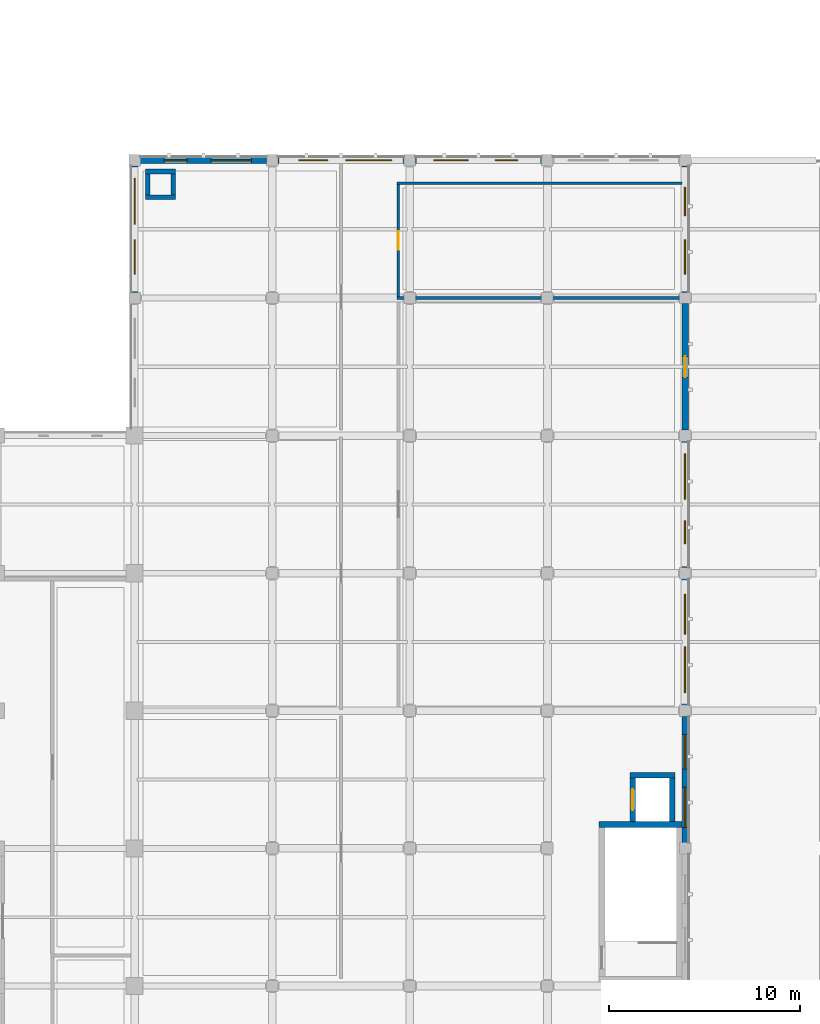
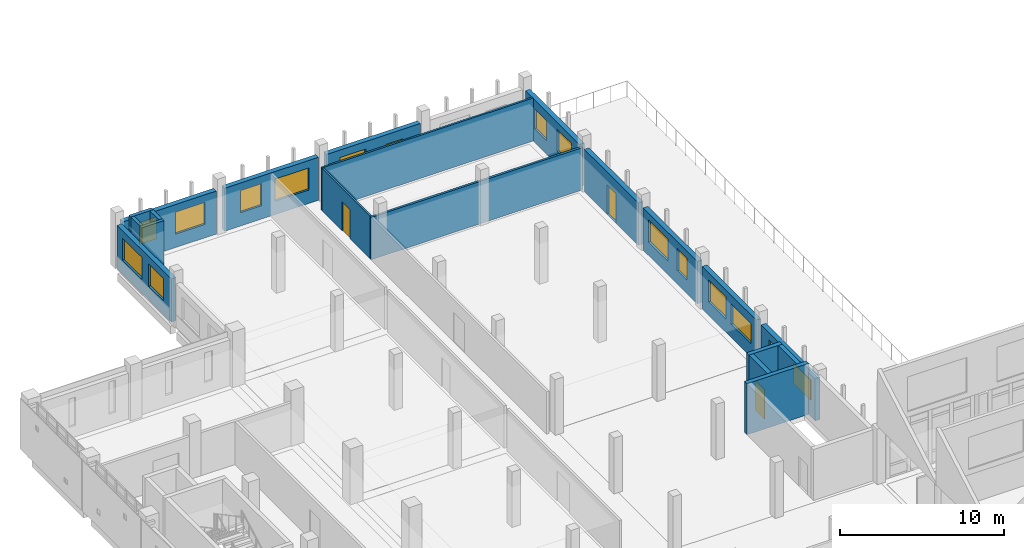
# One storey, part 45 of 62: 20 walls, 16 windows, 3 doors, 19 openings.
"""IFC4 building model written with IfcOpenShell, lengths in metres."""

from ifc_helpers import new_model, si_unit, direction, frame, frame_2d, origin, place, context, subcontext, project, spatial, rectangle, extrude, material, layer, layer_set, type_object, element, fill, save


model = new_model("IFC4")

# Units and contexts
model_context = context("Model", 3, precision=1e-05, world=origin(), true_north=direction((0.0, 1.0)))
body_context = subcontext(model_context, "Body", "Model", "MODEL_VIEW")
ifc_project = project(units=[si_unit("LENGTHUNIT", "METRE"), si_unit("AREAUNIT", "SQUARE_METRE"), si_unit("VOLUMEUNIT", "CUBIC_METRE"), si_unit("PLANEANGLEUNIT", "RADIAN"), si_unit("MASSUNIT", "GRAM", prefix="KILO")], contexts=[model_context])

# Site, building, storey
site_placement = place(None, origin())
site = spatial("IfcSite", under=ifc_project, at=site_placement, CompositionType="ELEMENT")
building_placement = place(site_placement, origin())
building = spatial("IfcBuilding", under=site, at=building_placement, Name="Valkovuoma Quantum and Materials Research Institute", CompositionType="ELEMENT")
storey_placement = place(building_placement, frame((0.0, 0.0, 13.1201171875)))
storey = spatial("IfcBuildingStorey", under=building, at=storey_placement, Name="L03", CompositionType="ELEMENT", Elevation=13.1201171875)

# Walls
ifc_material_1 = material(Name="Concrete C40/50", Category="concrete")
ifc_layer_1 = layer(ifc_material_1, 0.300048828125)
ifc_layer_set_1 = layer_set([ifc_layer_1], Name="Concrete C40/50")
wall_type_1 = type_object("IfcWallType", Name="Wall-W-COR300", PredefinedType="SHEAR", material=ifc_layer_set_1)
wall_1_placement = place(storey_placement, frame((38.699951171875, 73.25, 0.0), z_axis=(0.0, 0.0, 1.0), x_axis=(1.0, 0.0, 0.0)))
element("IfcWall", 1, at=wall_1_placement, inside=storey, type_object=wall_type_1, Name="L03 core wall 0292", PredefinedType="SHEAR", context=body_context, shape_type="SweptSolid", body=[
    extrude(rectangle(XDim=4.35009765625, YDim=0.300048828125, at=frame_2d((2.175048828125, 0.0))), origin(), (0.0, 0.0, 1.0), 3.809814453125),
])
wall_2_placement = place(storey_placement, frame((40.320068359375, 75.830078125, 0.0), z_axis=(0.0, 0.0, 1.0), x_axis=(1.0, 0.0, 0.0)))
element("IfcWall", 2, at=wall_2_placement, inside=storey, type_object=wall_type_1, Name="L03 core wall 0295", PredefinedType="SHEAR", context=body_context, shape_type="SweptSolid", body=[
    extrude(rectangle(XDim=2.35986328125, YDim=0.300048828125, at=frame_2d((1.179931640625, 0.0))), origin(), (0.0, 0.0, 1.0), 3.809814453125),
])

# Wall, opening, door
wall_3_placement = place(storey_placement, frame((40.469970703125, 73.39990234375, 0.0), z_axis=(0.0, 0.0, 1.0), x_axis=(0.0, 1.0, 0.0)))
wall_3 = element("IfcWall", 3, at=wall_3_placement, inside=storey, type_object=wall_type_1, Name="L03 core wall 0296", PredefinedType="SHEAR", context=body_context, shape_type="SweptSolid", body=[
    extrude(rectangle(XDim=2.280029296875, YDim=0.300048828125, at=frame_2d((1.14013671875, 0.0))), origin(), (0.0, 0.0, 1.0), 3.809814453125),
])
opening_1_placement = place(wall_3_placement, frame((0.60009765625, 0.0, 0.0)))
opening_1 = element("IfcOpeningElement", 4, at=opening_1_placement, cuts=wall_3, Name="Opening LD-054", PredefinedType="OPENING", context=body_context, shape_type="SweptSolid", body=[
    extrude(rectangle(XDim=1.10009765625, YDim=2.199951171875, at=frame_2d((0.550048828125, 1.10009765625))), frame((0.0, 0.16015625, 0.0), z_axis=(0.0, -1.0, 0.0), x_axis=(1.0, 0.0, 0.0)), (0.0, 0.0, 1.0), 0.320068359375),
])
ifc_material_2 = material(Name="Powder-coated steel and acoustic timber door assembly", Category="steel")
door_type_1 = type_object("IfcDoorType", Name="Door-DR-LD01", OperationType="NOTDEFINED", PredefinedType="DOOR", material=ifc_material_2)
door_1_placement = place(opening_1_placement, origin())
door_1 = element("IfcDoor", 5, at=door_1_placement, inside=storey, type_object=door_type_1, Name="L03 LIFT-P4 sliding landing door", OperationType="SLIDING_TO_LEFT", OverallHeight=2.199951171875, OverallWidth=1.10009765625, PredefinedType="DOOR", context=body_context, shape_type="SweptSolid", body=[
    extrude(rectangle(XDim=1.10009765625, YDim=2.199951171875, at=frame_2d((0.550048828125, 1.10009765625))), frame((0.0, 0.02490234375, 0.0), z_axis=(0.0, -1.0, 0.0), x_axis=(1.0, 0.0, 0.0)), (0.0, 0.0, 1.0), 0.050048828125),
])
fill(opening_1, door_1)

# Wall
wall_4_placement = place(storey_placement, frame((42.530029296875, 73.39990234375, 0.0), z_axis=(0.0, 0.0, 1.0), x_axis=(0.0, 1.0, 0.0)))
element("IfcWall", 6, at=wall_4_placement, inside=storey, type_object=wall_type_1, Name="L03 core wall 0297", PredefinedType="SHEAR", context=body_context, shape_type="SweptSolid", body=[
    extrude(rectangle(XDim=2.280029296875, YDim=0.300048828125, at=frame_2d((1.14013671875, 0.0))), origin(), (0.0, 0.0, 1.0), 3.809814453125),
])

# Wall, openings, windows
ifc_material_3 = material(Name="Precast concrete C40/50", Category="concrete")
ifc_layer_2 = layer(ifc_material_3, 0.340087890625)
ifc_layer_set_2 = layer_set([ifc_layer_2], Name="Precast concrete C40/50")
wall_type_2 = type_object("IfcWallType", Name="Wall-W-EXT340", PredefinedType="SOLIDWALL", material=ifc_layer_set_2)
wall_5_placement = place(storey_placement, frame((14.68994140625, 108.0, 0.0), z_axis=(0.0, 0.0, 1.0), x_axis=(1.0, 0.0, 0.0)))
wall_5 = element("IfcWall", 7, at=wall_5_placement, inside=storey, type_object=wall_type_2, Name="L03 exterior wall 0154", PredefinedType="SOLIDWALL", context=body_context, shape_type="SweptSolid", body=[
    extrude(rectangle(XDim=6.6201171875, YDim=0.340087890625, at=frame_2d((3.31005859375, 0.0))), origin(), (0.0, 0.0, 1.0), 3.2099609375),
])
opening_2_placement = place(wall_5_placement, frame((1.253662109375, 0.0, 1.0)))
opening_2 = element("IfcOpeningElement", 8, at=opening_2_placement, cuts=wall_5, Name="Opening WN-CL06", PredefinedType="OPENING", context=body_context, shape_type="SweptSolid", body=[
    extrude(rectangle(XDim=1.199951171875, YDim=1.64990234375, at=frame_2d((0.60009765625, 0.824951171875))), frame((0.0, 0.18017578125, 0.0), z_axis=(0.0, -1.0, 0.0), x_axis=(1.0, 0.0, 0.0)), (0.0, 0.0, 1.0), 0.360107421875),
])
opening_3_placement = place(wall_5_placement, frame((3.71630859375, 0.0, 1.0)))
opening_3 = element("IfcOpeningElement", 9, at=opening_3_placement, cuts=wall_5, Name="Opening WN-CL09", PredefinedType="OPENING", context=body_context, shape_type="SweptSolid", body=[
    extrude(rectangle(XDim=2.10009765625, YDim=1.64990234375, at=frame_2d((1.050048828125, 0.824951171875))), frame((0.0, 0.18017578125, 0.0), z_axis=(0.0, -1.0, 0.0), x_axis=(1.0, 0.0, 0.0)), (0.0, 0.0, 1.0), 0.360107421875),
])
ifc_material_4 = material(Name="Triple low-E argon glazing in thermally broken aluminium frame", Category="aluminium")
window_type_1 = type_object("IfcWindowType", Name="Win-WN-CL06", PartitioningType="SINGLE_PANEL", PredefinedType="WINDOW", material=ifc_material_4)
window_1_placement = place(opening_2_placement, origin())
window_1 = element("IfcWindow", 10, at=window_1_placement, inside=storey, type_object=window_type_1, Name="L03 window 0178", OverallHeight=1.64990234375, OverallWidth=1.199951171875, PartitioningType="SINGLE_PANEL", PredefinedType="WINDOW", context=body_context, shape_type="SweptSolid", body=[
    extrude(rectangle(XDim=1.199951171875, YDim=1.64990234375, at=frame_2d((0.60009765625, 0.824951171875))), frame((0.0, 0.030029296875, 0.0), z_axis=(0.0, -1.0, 0.0), x_axis=(1.0, 0.0, 0.0)), (0.0, 0.0, 1.0), 0.06005859375),
])
fill(opening_2, window_1)
ifc_material_5 = material(Name="Triple low-E argon glazing in thermally broken aluminium frame", Category="aluminium")
window_type_2 = type_object("IfcWindowType", Name="Win-WN-CL09", PartitioningType="SINGLE_PANEL", PredefinedType="WINDOW", material=ifc_material_5)
window_2_placement = place(opening_3_placement, origin())
window_2 = element("IfcWindow", 11, at=window_2_placement, inside=storey, type_object=window_type_2, Name="L03 window 0179", OverallHeight=1.64990234375, OverallWidth=2.10009765625, PartitioningType="SINGLE_PANEL", PredefinedType="WINDOW", context=body_context, shape_type="SweptSolid", body=[
    extrude(rectangle(XDim=2.10009765625, YDim=1.64990234375, at=frame_2d((1.050048828125, 0.824951171875))), frame((0.0, 0.030029296875, 0.0), z_axis=(0.0, -1.0, 0.0), x_axis=(1.0, 0.0, 0.0)), (0.0, 0.0, 1.0), 0.06005859375),
])
fill(opening_3, window_2)

wall_6_placement = place(storey_placement, frame((21.889892578125, 108.0, 0.0), z_axis=(0.0, 0.0, 1.0), x_axis=(1.0, 0.0, 0.0)))
wall_6 = element("IfcWall", 12, at=wall_6_placement, inside=storey, type_object=wall_type_2, Name="L03 exterior wall 0155", PredefinedType="SOLIDWALL", context=body_context, shape_type="SweptSolid", body=[
    extrude(rectangle(XDim=6.6201171875, YDim=0.340087890625, at=frame_2d((3.31005859375, 0.0))), origin(), (0.0, 0.0, 1.0), 3.2099609375),
])
opening_4_placement = place(wall_6_placement, frame((1.103515625, 0.0, 1.0)))
opening_4 = element("IfcOpeningElement", 13, at=opening_4_placement, cuts=wall_6, Name="Opening WN-CL07", PredefinedType="OPENING", context=body_context, shape_type="SweptSolid", body=[
    extrude(rectangle(XDim=1.5, YDim=1.64990234375, at=frame_2d((0.75, 0.824951171875))), frame((0.0, 0.18017578125, 0.0), z_axis=(0.0, -1.0, 0.0), x_axis=(1.0, 0.0, 0.0)), (0.0, 0.0, 1.0), 0.360107421875),
])
opening_5_placement = place(wall_6_placement, frame((3.56640625, 0.0, 1.0)))
opening_5 = element("IfcOpeningElement", 14, at=opening_5_placement, cuts=wall_6, Name="Opening WN-CL10", PredefinedType="OPENING", context=body_context, shape_type="SweptSolid", body=[
    extrude(rectangle(XDim=2.39990234375, YDim=1.64990234375, at=frame_2d((1.199951171875, 0.824951171875))), frame((0.0, 0.18017578125, 0.0), z_axis=(0.0, -1.0, 0.0), x_axis=(1.0, 0.0, 0.0)), (0.0, 0.0, 1.0), 0.360107421875),
])
ifc_material_6 = material(Name="Triple low-E argon glazing in thermally broken aluminium frame", Category="aluminium")
window_type_3 = type_object("IfcWindowType", Name="Win-WN-CL07", PartitioningType="SINGLE_PANEL", PredefinedType="WINDOW", material=ifc_material_6)
window_3_placement = place(opening_4_placement, origin())
window_3 = element("IfcWindow", 15, at=window_3_placement, inside=storey, type_object=window_type_3, Name="L03 window 0180", OverallHeight=1.64990234375, OverallWidth=1.5, PartitioningType="SINGLE_PANEL", PredefinedType="WINDOW", context=body_context, shape_type="SweptSolid", body=[
    extrude(rectangle(XDim=1.5, YDim=1.64990234375, at=frame_2d((0.75, 0.824951171875))), frame((0.0, 0.030029296875, 0.0), z_axis=(0.0, -1.0, 0.0), x_axis=(1.0, 0.0, 0.0)), (0.0, 0.0, 1.0), 0.06005859375),
])
fill(opening_4, window_3)
ifc_material_7 = material(Name="Triple low-E argon glazing in thermally broken aluminium frame", Category="aluminium")
window_type_4 = type_object("IfcWindowType", Name="Win-WN-CL10", PartitioningType="SINGLE_PANEL", PredefinedType="WINDOW", material=ifc_material_7)
window_4_placement = place(opening_5_placement, origin())
window_4 = element("IfcWindow", 16, at=window_4_placement, inside=storey, type_object=window_type_4, Name="L03 window 0181", OverallHeight=1.64990234375, OverallWidth=2.39990234375, PartitioningType="SINGLE_PANEL", PredefinedType="WINDOW", context=body_context, shape_type="SweptSolid", body=[
    extrude(rectangle(XDim=2.39990234375, YDim=1.64990234375, at=frame_2d((1.199951171875, 0.824951171875))), frame((0.0, 0.030029296875, 0.0), z_axis=(0.0, -1.0, 0.0), x_axis=(1.0, 0.0, 0.0)), (0.0, 0.0, 1.0), 0.06005859375),
])
fill(opening_5, window_4)

wall_7_placement = place(storey_placement, frame((29.090087890625, 108.0, 0.0), z_axis=(0.0, 0.0, 1.0), x_axis=(1.0, 0.0, 0.0)))
wall_7 = element("IfcWall", 17, at=wall_7_placement, inside=storey, type_object=wall_type_2, Name="L03 exterior wall 0156", PredefinedType="SOLIDWALL", context=body_context, shape_type="SweptSolid", body=[
    extrude(rectangle(XDim=6.619873046875, YDim=0.340087890625, at=frame_2d((3.31005859375, 0.0))), origin(), (0.0, 0.0, 1.0), 3.2099609375),
])
opening_6_placement = place(wall_7_placement, frame((0.95361328125, 0.0, 1.0)))
opening_6 = element("IfcOpeningElement", 18, at=opening_6_placement, cuts=wall_7, Name="Opening WN-CL08", PredefinedType="OPENING", context=body_context, shape_type="SweptSolid", body=[
    extrude(rectangle(XDim=1.800048828125, YDim=1.64990234375, at=frame_2d((0.89990234375, 0.824951171875))), frame((0.0, 0.18017578125, 0.0), z_axis=(0.0, -1.0, 0.0), x_axis=(1.0, 0.0, 0.0)), (0.0, 0.0, 1.0), 0.360107421875),
])
opening_7_placement = place(wall_7_placement, frame((4.16650390625, 0.0, 1.0)))
opening_7 = element("IfcOpeningElement", 19, at=opening_7_placement, cuts=wall_7, Name="Opening WN-CL01", PredefinedType="OPENING", context=body_context, shape_type="SweptSolid", body=[
    extrude(rectangle(XDim=1.199951171875, YDim=1.5, at=frame_2d((0.60009765625, 0.75))), frame((0.0, 0.18017578125, 0.0), z_axis=(0.0, -1.0, 0.0), x_axis=(1.0, 0.0, 0.0)), (0.0, 0.0, 1.0), 0.360107421875),
])
ifc_material_8 = material(Name="Triple low-E argon glazing in thermally broken aluminium frame", Category="aluminium")
window_type_5 = type_object("IfcWindowType", Name="Win-WN-CL01", PartitioningType="SINGLE_PANEL", PredefinedType="WINDOW", material=ifc_material_8)
window_5_placement = place(opening_7_placement, origin())
window_5 = element("IfcWindow", 20, at=window_5_placement, inside=storey, type_object=window_type_5, Name="L03 window 0183", OverallHeight=1.5, OverallWidth=1.199951171875, PartitioningType="SINGLE_PANEL", PredefinedType="WINDOW", context=body_context, shape_type="SweptSolid", body=[
    extrude(rectangle(XDim=1.199951171875, YDim=1.5, at=frame_2d((0.60009765625, 0.75))), frame((0.0, 0.030029296875, 0.0), z_axis=(0.0, -1.0, 0.0), x_axis=(1.0, 0.0, 0.0)), (0.0, 0.0, 1.0), 0.06005859375),
])
fill(opening_7, window_5)
ifc_material_9 = material(Name="Triple low-E argon glazing in thermally broken aluminium frame", Category="aluminium")
window_type_6 = type_object("IfcWindowType", Name="Win-WN-CL08", PartitioningType="SINGLE_PANEL", PredefinedType="WINDOW", material=ifc_material_9)
window_6_placement = place(opening_6_placement, origin())
window_6 = element("IfcWindow", 21, at=window_6_placement, inside=storey, type_object=window_type_6, Name="L03 window 0182", OverallHeight=1.64990234375, OverallWidth=1.800048828125, PartitioningType="SINGLE_PANEL", PredefinedType="WINDOW", context=body_context, shape_type="SweptSolid", body=[
    extrude(rectangle(XDim=1.800048828125, YDim=1.64990234375, at=frame_2d((0.89990234375, 0.824951171875))), frame((0.0, 0.030029296875, 0.0), z_axis=(0.0, -1.0, 0.0), x_axis=(1.0, 0.0, 0.0)), (0.0, 0.0, 1.0), 0.06005859375),
])
fill(opening_6, window_6)

wall_8_placement = place(storey_placement, frame((43.199951171875, 72.2900390625, 0.0), z_axis=(0.0, 0.0, 1.0), x_axis=(0.0, 1.0, 0.0)))
wall_8 = element("IfcWall", 22, at=wall_8_placement, inside=storey, type_object=wall_type_2, Name="L03 exterior wall 0159", PredefinedType="SOLIDWALL", context=body_context, shape_type="SweptSolid", body=[
    extrude(rectangle(XDim=6.619873046875, YDim=0.340087890625, at=frame_2d((3.31005859375, 0.0))), origin(), (0.0, 0.0, 1.0), 3.159912109375),
])
opening_8_placement = place(wall_8_placement, frame((0.8037109375, 0.0, 1.0)))
opening_8 = element("IfcOpeningElement", 23, at=opening_8_placement, cuts=wall_8, Name="Opening WN-CL04", PredefinedType="OPENING", context=body_context, shape_type="SweptSolid", body=[
    extrude(rectangle(XDim=2.10009765625, YDim=1.5, at=frame_2d((1.050048828125, 0.75))), frame((0.0, 0.18017578125, 0.0), z_axis=(0.0, -1.0, 0.0), x_axis=(1.0, 0.0, 0.0)), (0.0, 0.0, 1.0), 0.360107421875),
])
opening_9_placement = place(wall_8_placement, frame((3.866455078125, 0.0, 1.0)))
opening_9 = element("IfcOpeningElement", 24, at=opening_9_placement, cuts=wall_8, Name="Opening WN-CL08", PredefinedType="OPENING", context=body_context, shape_type="SweptSolid", body=[
    extrude(rectangle(XDim=1.800048828125, YDim=1.64990234375, at=frame_2d((0.89990234375, 0.824951171875))), frame((0.0, 0.18017578125, 0.0), z_axis=(0.0, -1.0, 0.0), x_axis=(1.0, 0.0, 0.0)), (0.0, 0.0, 1.0), 0.360107421875),
])
ifc_material_10 = material(Name="Triple low-E argon glazing in thermally broken aluminium frame", Category="aluminium")
window_type_7 = type_object("IfcWindowType", Name="Win-WN-CL04", PartitioningType="SINGLE_PANEL", PredefinedType="WINDOW", material=ifc_material_10)
window_7_placement = place(opening_8_placement, origin())
window_7 = element("IfcWindow", 25, at=window_7_placement, inside=storey, type_object=window_type_7, Name="L03 window 0188", OverallHeight=1.5, OverallWidth=2.10009765625, PartitioningType="SINGLE_PANEL", PredefinedType="WINDOW", context=body_context, shape_type="SweptSolid", body=[
    extrude(rectangle(XDim=2.10009765625, YDim=1.5, at=frame_2d((1.050048828125, 0.75))), frame((0.0, 0.030029296875, 0.0), z_axis=(0.0, -1.0, 0.0), x_axis=(1.0, 0.0, 0.0)), (0.0, 0.0, 1.0), 0.06005859375),
])
fill(opening_8, window_7)
window_8_placement = place(opening_9_placement, origin())
window_8 = element("IfcWindow", 26, at=window_8_placement, inside=storey, type_object=window_type_6, Name="L03 window 0189", OverallHeight=1.64990234375, OverallWidth=1.800048828125, PartitioningType="SINGLE_PANEL", PredefinedType="WINDOW", context=body_context, shape_type="SweptSolid", body=[
    extrude(rectangle(XDim=1.800048828125, YDim=1.64990234375, at=frame_2d((0.89990234375, 0.824951171875))), frame((0.0, 0.030029296875, 0.0), z_axis=(0.0, -1.0, 0.0), x_axis=(1.0, 0.0, 0.0)), (0.0, 0.0, 1.0), 0.06005859375),
])
fill(opening_9, window_8)

wall_9_placement = place(storey_placement, frame((43.199951171875, 79.489990234375, 0.0), z_axis=(0.0, 0.0, 1.0), x_axis=(0.0, 1.0, 0.0)))
wall_9 = element("IfcWall", 27, at=wall_9_placement, inside=storey, type_object=wall_type_2, Name="L03 exterior wall 0160", PredefinedType="SOLIDWALL", context=body_context, shape_type="SweptSolid", body=[
    extrude(rectangle(XDim=6.6201171875, YDim=0.340087890625, at=frame_2d((3.31005859375, 0.0))), origin(), (0.0, 0.0, 1.0), 3.159912109375),
])
opening_10_placement = place(wall_9_placement, frame((0.653564453125, 0.0, 1.0)))
opening_10 = element("IfcOpeningElement", 28, at=opening_10_placement, cuts=wall_9, Name="Opening WN-CL05", PredefinedType="OPENING", context=body_context, shape_type="SweptSolid", body=[
    extrude(rectangle(XDim=2.39990234375, YDim=1.5, at=frame_2d((1.199951171875, 0.75))), frame((0.0, 0.18017578125, 0.0), z_axis=(0.0, -1.0, 0.0), x_axis=(1.0, 0.0, 0.0)), (0.0, 0.0, 1.0), 0.360107421875),
])
opening_11_placement = place(wall_9_placement, frame((3.71630859375, 0.0, 1.0)))
opening_11 = element("IfcOpeningElement", 29, at=opening_11_placement, cuts=wall_9, Name="Opening WN-CL09", PredefinedType="OPENING", context=body_context, shape_type="SweptSolid", body=[
    extrude(rectangle(XDim=2.10009765625, YDim=1.64990234375, at=frame_2d((1.050048828125, 0.824951171875))), frame((0.0, 0.18017578125, 0.0), z_axis=(0.0, -1.0, 0.0), x_axis=(1.0, 0.0, 0.0)), (0.0, 0.0, 1.0), 0.360107421875),
])
ifc_material_11 = material(Name="Triple low-E argon glazing in thermally broken aluminium frame", Category="aluminium")
window_type_8 = type_object("IfcWindowType", Name="Win-WN-CL05", PartitioningType="SINGLE_PANEL", PredefinedType="WINDOW", material=ifc_material_11)
window_9_placement = place(opening_10_placement, origin())
window_9 = element("IfcWindow", 30, at=window_9_placement, inside=storey, type_object=window_type_8, Name="L03 window 0190", OverallHeight=1.5, OverallWidth=2.39990234375, PartitioningType="SINGLE_PANEL", PredefinedType="WINDOW", context=body_context, shape_type="SweptSolid", body=[
    extrude(rectangle(XDim=2.39990234375, YDim=1.5, at=frame_2d((1.199951171875, 0.75))), frame((0.0, 0.030029296875, 0.0), z_axis=(0.0, -1.0, 0.0), x_axis=(1.0, 0.0, 0.0)), (0.0, 0.0, 1.0), 0.06005859375),
])
fill(opening_10, window_9)
window_10_placement = place(opening_11_placement, origin())
window_10 = element("IfcWindow", 31, at=window_10_placement, inside=storey, type_object=window_type_2, Name="L03 window 0191", OverallHeight=1.64990234375, OverallWidth=2.10009765625, PartitioningType="SINGLE_PANEL", PredefinedType="WINDOW", context=body_context, shape_type="SweptSolid", body=[
    extrude(rectangle(XDim=2.10009765625, YDim=1.64990234375, at=frame_2d((1.050048828125, 0.824951171875))), frame((0.0, 0.030029296875, 0.0), z_axis=(0.0, -1.0, 0.0), x_axis=(1.0, 0.0, 0.0)), (0.0, 0.0, 1.0), 0.06005859375),
])
fill(opening_11, window_10)

wall_10_placement = place(storey_placement, frame((43.199951171875, 86.68994140625, 0.0), z_axis=(0.0, 0.0, 1.0), x_axis=(0.0, 1.0, 0.0)))
wall_10 = element("IfcWall", 32, at=wall_10_placement, inside=storey, type_object=wall_type_2, Name="L03 exterior wall 0161", PredefinedType="SOLIDWALL", context=body_context, shape_type="SweptSolid", body=[
    extrude(rectangle(XDim=6.6201171875, YDim=0.340087890625, at=frame_2d((3.31005859375, 0.0))), origin(), (0.0, 0.0, 1.0), 3.159912109375),
])
opening_12_placement = place(wall_10_placement, frame((1.253662109375, 0.0, 1.0)))
opening_12 = element("IfcOpeningElement", 33, at=opening_12_placement, cuts=wall_10, Name="Opening WN-CL06", PredefinedType="OPENING", context=body_context, shape_type="SweptSolid", body=[
    extrude(rectangle(XDim=1.199951171875, YDim=1.64990234375, at=frame_2d((0.60009765625, 0.824951171875))), frame((0.0, 0.18017578125, 0.0), z_axis=(0.0, -1.0, 0.0), x_axis=(1.0, 0.0, 0.0)), (0.0, 0.0, 1.0), 0.360107421875),
])
opening_13_placement = place(wall_10_placement, frame((3.56640625, 0.0, 1.0)))
opening_13 = element("IfcOpeningElement", 34, at=opening_13_placement, cuts=wall_10, Name="Opening WN-CL10", PredefinedType="OPENING", context=body_context, shape_type="SweptSolid", body=[
    extrude(rectangle(XDim=2.39990234375, YDim=1.64990234375, at=frame_2d((1.199951171875, 0.824951171875))), frame((0.0, 0.18017578125, 0.0), z_axis=(0.0, -1.0, 0.0), x_axis=(1.0, 0.0, 0.0)), (0.0, 0.0, 1.0), 0.360107421875),
])
window_11_placement = place(opening_12_placement, origin())
window_11 = element("IfcWindow", 35, at=window_11_placement, inside=storey, type_object=window_type_1, Name="L03 window 0192", OverallHeight=1.64990234375, OverallWidth=1.199951171875, PartitioningType="SINGLE_PANEL", PredefinedType="WINDOW", context=body_context, shape_type="SweptSolid", body=[
    extrude(rectangle(XDim=1.199951171875, YDim=1.64990234375, at=frame_2d((0.60009765625, 0.824951171875))), frame((0.0, 0.030029296875, 0.0), z_axis=(0.0, -1.0, 0.0), x_axis=(1.0, 0.0, 0.0)), (0.0, 0.0, 1.0), 0.06005859375),
])
fill(opening_12, window_11)
window_12_placement = place(opening_13_placement, origin())
window_12 = element("IfcWindow", 36, at=window_12_placement, inside=storey, type_object=window_type_4, Name="L03 window 0193", OverallHeight=1.64990234375, OverallWidth=2.39990234375, PartitioningType="SINGLE_PANEL", PredefinedType="WINDOW", context=body_context, shape_type="SweptSolid", body=[
    extrude(rectangle(XDim=2.39990234375, YDim=1.64990234375, at=frame_2d((1.199951171875, 0.824951171875))), frame((0.0, 0.030029296875, 0.0), z_axis=(0.0, -1.0, 0.0), x_axis=(1.0, 0.0, 0.0)), (0.0, 0.0, 1.0), 0.06005859375),
])
fill(opening_13, window_12)

# Wall, opening, door
wall_11_placement = place(storey_placement, frame((43.199951171875, 93.889892578125, 0.0), z_axis=(0.0, 0.0, 1.0), x_axis=(0.0, 1.0, 0.0)))
wall_11 = element("IfcWall", 37, at=wall_11_placement, inside=storey, type_object=wall_type_2, Name="L03 exterior wall 0162", PredefinedType="SOLIDWALL", context=body_context, shape_type="SweptSolid", body=[
    extrude(rectangle(XDim=6.6201171875, YDim=0.340087890625, at=frame_2d((3.31005859375, 0.0))), origin(), (0.0, 0.0, 1.0), 3.159912109375),
])
opening_14_placement = place(wall_11_placement, frame((2.760009765625, 0.0, 0.0)))
opening_14 = element("IfcOpeningElement", 38, at=opening_14_placement, cuts=wall_11, Name="Opening ED-023", PredefinedType="OPENING", context=body_context, shape_type="SweptSolid", body=[
    extrude(rectangle(XDim=1.10009765625, YDim=2.199951171875, at=frame_2d((0.550048828125, 1.10009765625))), frame((0.0, 0.18017578125, 0.0), z_axis=(0.0, -1.0, 0.0), x_axis=(1.0, 0.0, 0.0)), (0.0, 0.0, 1.0), 0.360107421875),
])
ifc_material_12 = material(Name="Thermally broken insulated aluminium and steel door", Category="steel")
door_type_2 = type_object("IfcDoorType", Name="Door-DR-TR01", OperationType="NOTDEFINED", PredefinedType="DOOR", material=ifc_material_12)
door_2_placement = place(opening_14_placement, frame((1.10009765625, 0.0, 0.0), z_axis=(0.0, 0.0, 1.0), x_axis=(-1.0, 0.0, 0.0)))
door_2 = element("IfcDoor", 39, at=door_2_placement, inside=storey, type_object=door_type_2, Name="L03 exterior door 023", OperationType="SINGLE_SWING_RIGHT", OverallHeight=2.199951171875, OverallWidth=1.10009765625, PredefinedType="DOOR", context=body_context, shape_type="SweptSolid", body=[
    extrude(rectangle(XDim=1.10009765625, YDim=2.199951171875, at=frame_2d((0.550048828125, 1.10009765625))), frame((0.0, 0.02490234375, 0.0), z_axis=(0.0, -1.0, 0.0), x_axis=(1.0, 0.0, 0.0)), (0.0, 0.0, 1.0), 0.050048828125),
])
fill(opening_14, door_2)

# Wall, openings, windows
wall_12_placement = place(storey_placement, frame((43.199951171875, 101.090087890625, 0.0), z_axis=(0.0, 0.0, 1.0), x_axis=(0.0, 1.0, 0.0)))
wall_12 = element("IfcWall", 40, at=wall_12_placement, inside=storey, type_object=wall_type_2, Name="L03 exterior wall 0163", PredefinedType="SOLIDWALL", context=body_context, shape_type="SweptSolid", body=[
    extrude(rectangle(XDim=6.619873046875, YDim=0.340087890625, at=frame_2d((3.31005859375, 0.0))), origin(), (0.0, 0.0, 1.0), 3.159912109375),
])
opening_15_placement = place(wall_12_placement, frame((0.95361328125, 0.0, 1.0)))
opening_15 = element("IfcOpeningElement", 41, at=opening_15_placement, cuts=wall_12, Name="Opening WN-CL08", PredefinedType="OPENING", context=body_context, shape_type="SweptSolid", body=[
    extrude(rectangle(XDim=1.800048828125, YDim=1.64990234375, at=frame_2d((0.89990234375, 0.824951171875))), frame((0.0, 0.18017578125, 0.0), z_axis=(0.0, -1.0, 0.0), x_axis=(1.0, 0.0, 0.0)), (0.0, 0.0, 1.0), 0.360107421875),
])
opening_16_placement = place(wall_12_placement, frame((4.016357421875, 0.0, 1.0)))
opening_16 = element("IfcOpeningElement", 42, at=opening_16_placement, cuts=wall_12, Name="Opening WN-CL02", PredefinedType="OPENING", context=body_context, shape_type="SweptSolid", body=[
    extrude(rectangle(XDim=1.5, YDim=1.5, at=frame_2d((0.75, 0.75))), frame((0.0, 0.18017578125, 0.0), z_axis=(0.0, -1.0, 0.0), x_axis=(1.0, 0.0, 0.0)), (0.0, 0.0, 1.0), 0.360107421875),
])
ifc_material_13 = material(Name="Triple low-E argon glazing in thermally broken aluminium frame", Category="aluminium")
window_type_9 = type_object("IfcWindowType", Name="Win-WN-CL02", PartitioningType="SINGLE_PANEL", PredefinedType="WINDOW", material=ifc_material_13)
window_13_placement = place(opening_16_placement, origin())
window_13 = element("IfcWindow", 43, at=window_13_placement, inside=storey, type_object=window_type_9, Name="L03 window 0195", OverallHeight=1.5, OverallWidth=1.5, PartitioningType="SINGLE_PANEL", PredefinedType="WINDOW", context=body_context, shape_type="SweptSolid", body=[
    extrude(rectangle(XDim=1.5, YDim=1.5, at=frame_2d((0.75, 0.75))), frame((0.0, 0.030029296875, 0.0), z_axis=(0.0, -1.0, 0.0), x_axis=(1.0, 0.0, 0.0)), (0.0, 0.0, 1.0), 0.06005859375),
])
fill(opening_16, window_13)
window_14_placement = place(opening_15_placement, origin())
window_14 = element("IfcWindow", 44, at=window_14_placement, inside=storey, type_object=window_type_6, Name="L03 window 0194", OverallHeight=1.64990234375, OverallWidth=1.800048828125, PartitioningType="SINGLE_PANEL", PredefinedType="WINDOW", context=body_context, shape_type="SweptSolid", body=[
    extrude(rectangle(XDim=1.800048828125, YDim=1.64990234375, at=frame_2d((0.89990234375, 0.824951171875))), frame((0.0, 0.030029296875, 0.0), z_axis=(0.0, -1.0, 0.0), x_axis=(1.0, 0.0, 0.0)), (0.0, 0.0, 1.0), 0.06005859375),
])
fill(opening_15, window_14)

wall_13_placement = place(storey_placement, frame((14.39990234375, 101.090087890625, 0.0), z_axis=(0.0, 0.0, 1.0), x_axis=(0.0, 1.0, 0.0)))
wall_13 = element("IfcWall", 45, at=wall_13_placement, inside=storey, type_object=wall_type_2, Name="L03 exterior wall 0165", PredefinedType="SOLIDWALL", context=body_context, shape_type="SweptSolid", body=[
    extrude(rectangle(XDim=6.619873046875, YDim=0.340087890625, at=frame_2d((3.31005859375, 0.0))), origin(), (0.0, 0.0, 1.0), 3.2099609375),
])
opening_17_placement = place(wall_13_placement, frame((0.95361328125, 0.0, 1.0)))
opening_17 = element("IfcOpeningElement", 46, at=opening_17_placement, cuts=wall_13, Name="Opening WN-CL08", PredefinedType="OPENING", context=body_context, shape_type="SweptSolid", body=[
    extrude(rectangle(XDim=1.800048828125, YDim=1.64990234375, at=frame_2d((0.89990234375, 0.824951171875))), frame((0.0, 0.18017578125, 0.0), z_axis=(0.0, -1.0, 0.0), x_axis=(1.0, 0.0, 0.0)), (0.0, 0.0, 1.0), 0.360107421875),
])
opening_18_placement = place(wall_13_placement, frame((3.56640625, 0.0, 1.0)))
opening_18 = element("IfcOpeningElement", 47, at=opening_18_placement, cuts=wall_13, Name="Opening WN-CL10", PredefinedType="OPENING", context=body_context, shape_type="SweptSolid", body=[
    extrude(rectangle(XDim=2.39990234375, YDim=1.64990234375, at=frame_2d((1.199951171875, 0.824951171875))), frame((0.0, 0.18017578125, 0.0), z_axis=(0.0, -1.0, 0.0), x_axis=(1.0, 0.0, 0.0)), (0.0, 0.0, 1.0), 0.360107421875),
])
window_15_placement = place(opening_17_placement, origin())
window_15 = element("IfcWindow", 48, at=window_15_placement, inside=storey, type_object=window_type_6, Name="L03 window 0198", OverallHeight=1.64990234375, OverallWidth=1.800048828125, PartitioningType="SINGLE_PANEL", PredefinedType="WINDOW", context=body_context, shape_type="SweptSolid", body=[
    extrude(rectangle(XDim=1.800048828125, YDim=1.64990234375, at=frame_2d((0.89990234375, 0.824951171875))), frame((0.0, 0.030029296875, 0.0), z_axis=(0.0, -1.0, 0.0), x_axis=(1.0, 0.0, 0.0)), (0.0, 0.0, 1.0), 0.06005859375),
])
fill(opening_17, window_15)
window_16_placement = place(opening_18_placement, origin())
window_16 = element("IfcWindow", 49, at=window_16_placement, inside=storey, type_object=window_type_4, Name="L03 window 0199", OverallHeight=1.64990234375, OverallWidth=2.39990234375, PartitioningType="SINGLE_PANEL", PredefinedType="WINDOW", context=body_context, shape_type="SweptSolid", body=[
    extrude(rectangle(XDim=2.39990234375, YDim=1.64990234375, at=frame_2d((1.199951171875, 0.824951171875))), frame((0.0, 0.030029296875, 0.0), z_axis=(0.0, -1.0, 0.0), x_axis=(1.0, 0.0, 0.0)), (0.0, 0.0, 1.0), 0.06005859375),
])
fill(opening_18, window_16)

# Wall
ifc_material_14 = material(Name="Interior office stud partition", Category="masonry")
ifc_layer_3 = layer(ifc_material_14, 0.135009765625)
ifc_layer_set_3 = layer_set([ifc_layer_3], Name="Interior office stud partition")
wall_type_3 = type_object("IfcWallType", Name="Wall-W-PRT135", PredefinedType="PARTITIONING", material=ifc_layer_set_3)
wall_14_placement = place(storey_placement, frame((28.132568359375, 106.800048828125, 0.0), z_axis=(0.0, 0.0, 1.0), x_axis=(1.0, 0.0, 0.0)))
element("IfcWall", 50, at=wall_14_placement, inside=storey, type_object=wall_type_3, Name="L03 partition 0168", PredefinedType="PARTITIONING", context=body_context, shape_type="SweptSolid", body=[
    extrude(rectangle(XDim=14.8974609375, YDim=0.135009765625, at=frame_2d((7.44873046875, 0.0))), origin(), (0.0, 0.0, 1.0), 3.2099609375),
])

# Wall, opening, door
wall_15_placement = place(storey_placement, frame((28.199951171875, 100.8798828125, 0.0), z_axis=(0.0, 0.0, 1.0), x_axis=(0.0, 1.0, 0.0)))
wall_15 = element("IfcWall", 51, at=wall_15_placement, inside=storey, type_object=wall_type_3, Name="L03 partition 0169", PredefinedType="PARTITIONING", context=body_context, shape_type="SweptSolid", body=[
    extrude(rectangle(XDim=5.8525390625, YDim=0.135009765625, at=frame_2d((2.92626953125, 0.0))), origin(), (0.0, 0.0, 1.0), 3.159912109375),
])
opening_19_placement = place(wall_15_placement, frame((2.4462890625, 0.0, 0.0)))
opening_19 = element("IfcOpeningElement", 52, at=opening_19_placement, cuts=wall_15, Name="Opening ID-0120", PredefinedType="OPENING", context=body_context, shape_type="SweptSolid", body=[
    extrude(rectangle(XDim=0.9599609375, YDim=2.14990234375, at=frame_2d((0.47998046875, 1.074951171875))), frame((0.0, 0.07763671875, 0.0), z_axis=(0.0, -1.0, 0.0), x_axis=(1.0, 0.0, 0.0)), (0.0, 0.0, 1.0), 0.155029296875),
])
ifc_material_15 = material(Name="Powder-coated steel and acoustic timber door assembly", Category="steel")
door_type_3 = type_object("IfcDoorType", Name="Door-DR-OF06", OperationType="NOTDEFINED", PredefinedType="DOOR", material=ifc_material_15)
door_3_placement = place(opening_19_placement, origin())
door_3 = element("IfcDoor", 53, at=door_3_placement, inside=storey, type_object=door_type_3, Name="L03 room door 0120", OperationType="SINGLE_SWING_LEFT", OverallHeight=2.14990234375, OverallWidth=0.9599609375, PredefinedType="DOOR", context=body_context, shape_type="SweptSolid", body=[
    extrude(rectangle(XDim=0.9599609375, YDim=2.14990234375, at=frame_2d((0.47998046875, 1.074951171875))), frame((0.0, 0.02490234375, 0.0), z_axis=(0.0, -1.0, 0.0), x_axis=(1.0, 0.0, 0.0)), (0.0, 0.0, 1.0), 0.050048828125),
])
fill(opening_19, door_3)

# Walls
ifc_material_16 = material(Name="Cleanroom insulated metal-faced partition", Category="masonry")
ifc_layer_4 = layer(ifc_material_16, 0.159912109375)
ifc_layer_set_4 = layer_set([ifc_layer_4], Name="Cleanroom insulated metal-faced partition")
wall_type_4 = type_object("IfcWallType", Name="Wall-W-PRT160", PredefinedType="PARTITIONING", material=ifc_layer_set_4)
wall_16_placement = place(storey_placement, frame((28.1201171875, 100.800048828125, 0.0), z_axis=(0.0, 0.0, 1.0), x_axis=(1.0, 0.0, 0.0)))
element("IfcWall", 54, at=wall_16_placement, inside=storey, type_object=wall_type_4, Name="L03 partition 0166", PredefinedType="PARTITIONING", context=body_context, shape_type="SweptSolid", body=[
    extrude(rectangle(XDim=14.909912109375, YDim=0.159912109375, at=frame_2d((7.455078125, 0.0))), origin(), (0.0, 0.0, 1.0), 3.159912109375),
])
ifc_material_17 = material(Name="Concrete C40/50", Category="concrete")
ifc_layer_5 = layer(ifc_material_17, 0.239990234375)
ifc_layer_set_5 = layer_set([ifc_layer_5], Name="Concrete C40/50")
wall_type_5 = type_object("IfcWallType", Name="Wall-W-SHF240", PredefinedType="SOLIDWALL", material=ifc_layer_set_5)
for number, where, z_axis, x_axis, name in (
    (55, (14.9599609375, 106.080078125, 0.0), (0.0, 0.0, 1.0), (1.0, 0.0, 0.0), "L03 core wall 0317"),
    (56, (14.9599609375, 107.419921875, 0.0), (0.0, 0.0, 1.0), (1.0, 0.0, 0.0), "L03 core wall 0318"),
):
    element("IfcWall", number, at=place(storey_placement, frame(where, z_axis=z_axis, x_axis=x_axis)), inside=storey, type_object=wall_type_5, Name=name, PredefinedType="SOLIDWALL", context=body_context, shape_type="SweptSolid", body=[
        extrude(rectangle(XDim=1.580078125, YDim=0.239990234375, at=frame_2d((0.7900390625, 0.0))), origin(), (0.0, 0.0, 1.0), 3.809814453125),
    ])
for number, where, z_axis, x_axis, name in (
    (57, (15.080078125, 106.199951171875, 0.0), (0.0, 0.0, 1.0), (0.0, 1.0, 0.0), "L03 core wall 0319"),
    (58, (16.419921875, 106.199951171875, 0.0), (0.0, 0.0, 1.0), (0.0, 1.0, 0.0), "L03 core wall 0320"),
):
    element("IfcWall", number, at=place(storey_placement, frame(where, z_axis=z_axis, x_axis=x_axis)), inside=storey, type_object=wall_type_5, Name=name, PredefinedType="SOLIDWALL", context=body_context, shape_type="SweptSolid", body=[
        extrude(rectangle(XDim=1.10009765625, YDim=0.239990234375, at=frame_2d((0.550048828125, 0.0))), origin(), (0.0, 0.0, 1.0), 3.809814453125),
    ])

save(model, "model.ifc")
